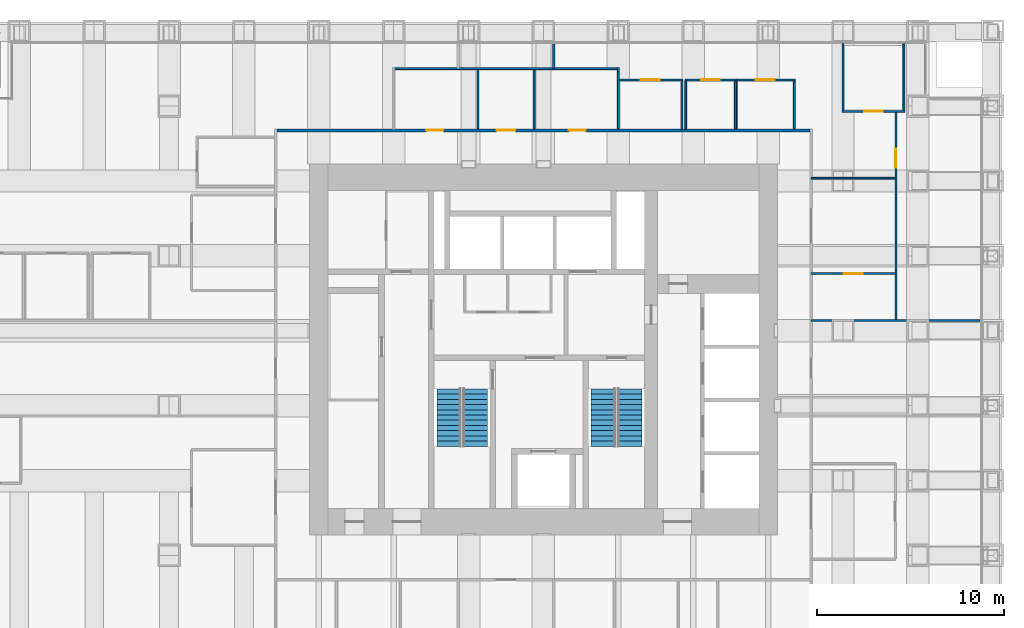
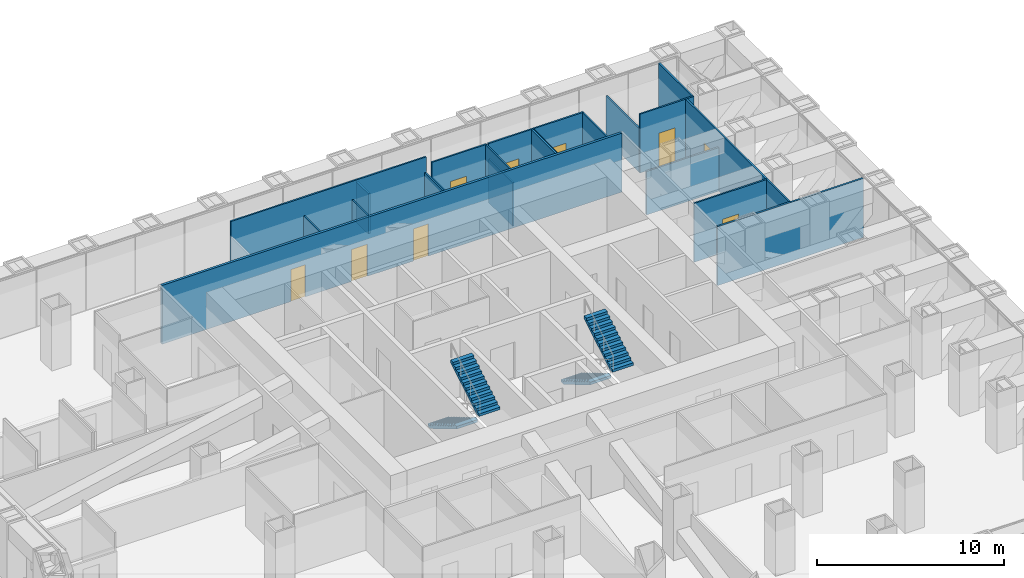
# One storey, part 16 of 18: 21 walls, 9 doors, 4 stair flights, 9 openings, 2 elements without a shape of their own.
"""IFC4 building model written with IfcOpenShell, lengths in metres."""

from ifc_helpers import new_model, si_unit, direction, frame, frame_2d, origin, place, context, subcontext, project, spatial, polyline, rectangle, outline, extrude, material, layer, layer_set, type_object, element, fill, aggregate, save


model = new_model("IFC4")

# Units and contexts
model_context = context("Model", 3, precision=1e-05, world=origin(), true_north=direction((0.0, 1.0)))
body_context = subcontext(model_context, "Body", "Model", "MODEL_VIEW")
ifc_project = project(units=[si_unit("LENGTHUNIT", "METRE"), si_unit("AREAUNIT", "SQUARE_METRE"), si_unit("VOLUMEUNIT", "CUBIC_METRE"), si_unit("PLANEANGLEUNIT", "RADIAN"), si_unit("MASSUNIT", "GRAM", prefix="KILO")], contexts=[model_context])

# Site, building, storey
site_placement = place(None, origin())
site = spatial("IfcSite", under=ifc_project, at=site_placement, CompositionType="ELEMENT")
building_placement = place(site_placement, origin())
building = spatial("IfcBuilding", under=site, at=building_placement, Name="Rimbunsela Tower", CompositionType="ELEMENT")
storey_placement = place(building_placement, frame((0.0, 0.0, 11.0)))
storey = spatial("IfcBuildingStorey", under=building, at=storey_placement, Name="L02", CompositionType="ELEMENT", Elevation=11.0)

# Wall, opening, door
ifc_material_1 = material(Name="Gypsum board on steel studs", Category="steel")
ifc_layer_1 = layer(ifc_material_1, 0.10009765625)
ifc_layer_set_1 = layer_set([ifc_layer_1], Name="Office partition 100")
wall_type_1 = type_object("IfcWallType", Name="Office partition 100", PredefinedType="PARTITIONING", material=ifc_layer_set_1)
wall_1_placement = place(storey_placement, frame((45.949951171875, 39.719970703125, 0.0), z_axis=(0.0, 0.0, 1.0), x_axis=(1.0, 0.0, 0.0)))
wall_1 = element("IfcWall", 1, at=wall_1_placement, inside=storey, type_object=wall_type_1, Name="Office partition", PredefinedType="PARTITIONING", context=body_context, shape_type="SweptSolid", body=[
    extrude(rectangle(XDim=3.35009765625, YDim=0.10009765625, at=frame_2d((1.675048828125, 0.0))), origin(), (0.0, 0.0, 1.0), 3.85009765625),
])
opening_1_placement = place(wall_1_placement, frame((1.175048828125, 0.0, 0.0)))
opening_1 = element("IfcOpeningElement", 2, at=opening_1_placement, cuts=wall_1, Name="Opening D16", PredefinedType="OPENING", context=body_context, shape_type="SweptSolid", body=[
    extrude(rectangle(XDim=1.0, YDim=2.199951171875, at=frame_2d((0.5, 1.10009765625))), frame((0.0, 0.06005859375, 0.0), z_axis=(0.0, -1.0, 0.0), x_axis=(1.0, 0.0, 0.0)), (0.0, 0.0, 1.0), 0.1201171875),
])
ifc_material_2 = material(Name="Timber door", Category="wood")
door_type_1 = type_object("IfcDoorType", Name="Office door 1000", OperationType="SINGLE_SWING_LEFT", PredefinedType="DOOR", material=ifc_material_2)
door_1_placement = place(opening_1_placement, origin())
door_1 = element("IfcDoor", 3, at=door_1_placement, inside=storey, type_object=door_type_1, Name="Office door", OperationType="SINGLE_SWING_LEFT", OverallHeight=2.199951171875, OverallWidth=1.0, PredefinedType="DOOR", context=body_context, shape_type="SweptSolid", body=[
    extrude(rectangle(XDim=1.0, YDim=2.199951171875, at=frame_2d((0.5, 1.10009765625))), frame((0.0, 0.02490234375, 0.0), z_axis=(0.0, -1.0, 0.0), x_axis=(1.0, 0.0, 0.0)), (0.0, 0.0, 1.0), 0.050048828125),
])
fill(opening_1, door_1)

wall_2_placement = place(storey_placement, frame((34.050048828125, 41.39990234375, 0.0), z_axis=(0.0, 0.0, 1.0), x_axis=(1.0, 0.0, 0.0)))
wall_2 = element("IfcWall", 4, at=wall_2_placement, inside=storey, type_object=wall_type_1, Name="Office partition", PredefinedType="PARTITIONING", context=body_context, shape_type="SweptSolid", body=[
    extrude(rectangle(XDim=3.39990234375, YDim=0.10009765625, at=frame_2d((1.699951171875, 0.0))), origin(), (0.0, 0.0, 1.0), 3.85009765625),
])
opening_2_placement = place(wall_2_placement, frame((1.14990234375, 0.0, 0.0)))
opening_2 = element("IfcOpeningElement", 5, at=opening_2_placement, cuts=wall_2, Name="Opening D16", PredefinedType="OPENING", context=body_context, shape_type="SweptSolid", body=[
    extrude(rectangle(XDim=1.0, YDim=2.199951171875, at=frame_2d((0.5, 1.10009765625))), frame((0.0, 0.06005859375, 0.0), z_axis=(0.0, -1.0, 0.0), x_axis=(1.0, 0.0, 0.0)), (0.0, 0.0, 1.0), 0.1201171875),
])
door_2_placement = place(opening_2_placement, origin())
door_2 = element("IfcDoor", 6, at=door_2_placement, inside=storey, type_object=door_type_1, Name="Office door", OperationType="SINGLE_SWING_LEFT", OverallHeight=2.199951171875, OverallWidth=1.0, PredefinedType="DOOR", context=body_context, shape_type="SweptSolid", body=[
    extrude(rectangle(XDim=1.0, YDim=2.199951171875, at=frame_2d((0.5, 1.10009765625))), frame((0.0, 0.02490234375, 0.0), z_axis=(0.0, -1.0, 0.0), x_axis=(1.0, 0.0, 0.0)), (0.0, 0.0, 1.0), 0.050048828125),
])
fill(opening_2, door_2)

wall_3_placement = place(storey_placement, frame((37.550048828125, 41.39990234375, 0.0), z_axis=(0.0, 0.0, 1.0), x_axis=(1.0, 0.0, 0.0)))
wall_3 = element("IfcWall", 7, at=wall_3_placement, inside=storey, type_object=wall_type_1, Name="Office partition", PredefinedType="PARTITIONING", context=body_context, shape_type="SweptSolid", body=[
    extrude(rectangle(XDim=2.75, YDim=0.10009765625, at=frame_2d((1.375, 0.0))), origin(), (0.0, 0.0, 1.0), 3.85009765625),
])
opening_3_placement = place(wall_3_placement, frame((0.875, 0.0, 0.0)))
opening_3 = element("IfcOpeningElement", 8, at=opening_3_placement, cuts=wall_3, Name="Opening D16", PredefinedType="OPENING", context=body_context, shape_type="SweptSolid", body=[
    extrude(rectangle(XDim=1.0, YDim=2.199951171875, at=frame_2d((0.5, 1.10009765625))), frame((0.0, 0.06005859375, 0.0), z_axis=(0.0, -1.0, 0.0), x_axis=(1.0, 0.0, 0.0)), (0.0, 0.0, 1.0), 0.1201171875),
])
door_3_placement = place(opening_3_placement, origin())
door_3 = element("IfcDoor", 9, at=door_3_placement, inside=storey, type_object=door_type_1, Name="Office door", OperationType="SINGLE_SWING_LEFT", OverallHeight=2.199951171875, OverallWidth=1.0, PredefinedType="DOOR", context=body_context, shape_type="SweptSolid", body=[
    extrude(rectangle(XDim=1.0, YDim=2.199951171875, at=frame_2d((0.5, 1.10009765625))), frame((0.0, 0.02490234375, 0.0), z_axis=(0.0, -1.0, 0.0), x_axis=(1.0, 0.0, 0.0)), (0.0, 0.0, 1.0), 0.050048828125),
])
fill(opening_3, door_3)

wall_4_placement = place(storey_placement, frame((40.25, 41.39990234375, 0.0), z_axis=(0.0, 0.0, 1.0), x_axis=(1.0, 0.0, 0.0)))
wall_4 = element("IfcWall", 10, at=wall_4_placement, inside=storey, type_object=wall_type_1, Name="Office partition", PredefinedType="PARTITIONING", context=body_context, shape_type="SweptSolid", body=[
    extrude(rectangle(XDim=3.199951171875, YDim=0.10009765625, at=frame_2d((1.60009765625, 0.0))), origin(), (0.0, 0.0, 1.0), 3.85009765625),
])
opening_4_placement = place(wall_4_placement, frame((1.10009765625, 0.0, 0.0)))
opening_4 = element("IfcOpeningElement", 11, at=opening_4_placement, cuts=wall_4, Name="Opening D16", PredefinedType="OPENING", context=body_context, shape_type="SweptSolid", body=[
    extrude(rectangle(XDim=1.0, YDim=2.199951171875, at=frame_2d((0.5, 1.10009765625))), frame((0.0, 0.06005859375, 0.0), z_axis=(0.0, -1.0, 0.0), x_axis=(1.0, 0.0, 0.0)), (0.0, 0.0, 1.0), 0.1201171875),
])
door_4_placement = place(opening_4_placement, origin())
door_4 = element("IfcDoor", 12, at=door_4_placement, inside=storey, type_object=door_type_1, Name="Office door", OperationType="SINGLE_SWING_LEFT", OverallHeight=2.199951171875, OverallWidth=1.0, PredefinedType="DOOR", context=body_context, shape_type="SweptSolid", body=[
    extrude(rectangle(XDim=1.0, YDim=2.199951171875, at=frame_2d((0.5, 1.10009765625))), frame((0.0, 0.02490234375, 0.0), z_axis=(0.0, -1.0, 0.0), x_axis=(1.0, 0.0, 0.0)), (0.0, 0.0, 1.0), 0.050048828125),
])
fill(opening_4, door_4)

# Walls
wall_5_placement = place(storey_placement, frame((37.39990234375, 38.77490234375, 0.0), z_axis=(0.0, 0.0, 1.0), x_axis=(0.0, 1.0, 0.0)))
element("IfcWall", 13, at=wall_5_placement, inside=storey, type_object=wall_type_1, Name="Office partition", PredefinedType="PARTITIONING", context=body_context, shape_type="SweptSolid", body=[
    extrude(rectangle(XDim=2.5751953125, YDim=0.10009765625, at=frame_2d((1.28759765625, 0.0))), origin(), (0.0, 0.0, 1.0), 3.85009765625),
])
wall_6_placement = place(storey_placement, frame((37.60009765625, 38.77490234375, 0.0), z_axis=(0.0, 0.0, 1.0), x_axis=(0.0, 1.0, 0.0)))
element("IfcWall", 14, at=wall_6_placement, inside=storey, type_object=wall_type_1, Name="Office partition", PredefinedType="PARTITIONING", context=body_context, shape_type="SweptSolid", body=[
    extrude(rectangle(XDim=2.5751953125, YDim=0.10009765625, at=frame_2d((1.28759765625, 0.0))), origin(), (0.0, 0.0, 1.0), 2.85009765625),
])
for number, where, z_axis, x_axis, name in (
    (15, (40.25, 38.77490234375, 0.0), (0.0, 0.0, 1.0), (0.0, 1.0, 0.0), "Office partition"),
    (16, (40.300048828125, 38.77490234375, 0.0), (0.0, 0.0, 1.0), (0.0, 1.0, 0.0), "Office partition"),
    (17, (43.39990234375, 38.77490234375, 0.0), (0.0, 0.0, 1.0), (0.0, 1.0, 0.0), "Office partition"),
):
    element("IfcWall", number, at=place(storey_placement, frame(where, z_axis=z_axis, x_axis=x_axis)), inside=storey, type_object=wall_type_1, Name=name, PredefinedType="PARTITIONING", context=body_context, shape_type="SweptSolid", body=[
        extrude(rectangle(XDim=2.5751953125, YDim=0.10009765625, at=frame_2d((1.28759765625, 0.0))), origin(), (0.0, 0.0, 1.0), 3.85009765625),
    ])
wall_7_placement = place(storey_placement, frame((46.0, 39.77001953125, 0.0), z_axis=(0.0, 0.0, 1.0), x_axis=(0.0, 1.0, 0.0)))
element("IfcWall", 18, at=wall_7_placement, inside=storey, type_object=wall_type_1, Name="Office partition", PredefinedType="PARTITIONING", context=body_context, shape_type="SweptSolid", body=[
    extrude(rectangle(XDim=3.550048828125, YDim=0.10009765625, at=frame_2d((1.77490234375, 0.0))), origin(), (0.0, 0.0, 1.0), 2.85009765625),
])
wall_8_placement = place(storey_placement, frame((49.25, 39.77001953125, 0.0), z_axis=(0.0, 0.0, 1.0), x_axis=(0.0, 1.0, 0.0)))
element("IfcWall", 19, at=wall_8_placement, inside=storey, type_object=wall_type_1, Name="Office partition", PredefinedType="PARTITIONING", context=body_context, shape_type="SweptSolid", body=[
    extrude(rectangle(XDim=3.550048828125, YDim=0.10009765625, at=frame_2d((1.77490234375, 0.0))), origin(), (0.0, 0.0, 1.0), 3.85009765625),
])

# Wall, opening, door
wall_9_placement = place(storey_placement, frame((48.824951171875, 39.669921875, 0.0), z_axis=(0.0, 0.0, 1.0), x_axis=(0.0, -1.0, 0.0)))
wall_9 = element("IfcWall", 20, at=wall_9_placement, inside=storey, type_object=wall_type_1, Name="Office partition", PredefinedType="PARTITIONING", context=body_context, shape_type="SweptSolid", body=[
    extrude(rectangle(XDim=11.118896484375, YDim=0.10009765625, at=frame_2d((5.5595703125, 0.0))), origin(), (0.0, 0.0, 1.0), 3.85009765625),
])
opening_5_placement = place(wall_9_placement, frame((1.95947265625, 0.0, 0.0)))
opening_5 = element("IfcOpeningElement", 21, at=opening_5_placement, cuts=wall_9, Name="Opening D17", PredefinedType="OPENING", context=body_context, shape_type="SweptSolid", body=[
    extrude(rectangle(XDim=1.0, YDim=2.199951171875, at=frame_2d((0.5, 1.10009765625))), frame((0.0, 0.06005859375, 0.0), z_axis=(0.0, -1.0, 0.0), x_axis=(1.0, 0.0, 0.0)), (0.0, 0.0, 1.0), 0.1201171875),
])
ifc_material_3 = material(Name="Glazed aluminium door", Category="aluminium")
door_type_2 = type_object("IfcDoorType", Name="Meeting room door 1000 glazed", OperationType="SINGLE_SWING_RIGHT", PredefinedType="DOOR", material=ifc_material_3)
door_5_placement = place(opening_5_placement, origin())
door_5 = element("IfcDoor", 22, at=door_5_placement, inside=storey, type_object=door_type_2, Name="Open office screen door", OperationType="SINGLE_SWING_RIGHT", OverallHeight=2.199951171875, OverallWidth=1.0, PredefinedType="DOOR", context=body_context, shape_type="SweptSolid", body=[
    extrude(rectangle(XDim=1.0, YDim=2.199951171875, at=frame_2d((0.5, 1.10009765625))), frame((0.0, 0.02490234375, 0.0), z_axis=(0.0, -1.0, 0.0), x_axis=(1.0, 0.0, 0.0)), (0.0, 0.0, 1.0), 0.050048828125),
])
fill(opening_5, door_5)

wall_10_placement = place(storey_placement, frame((44.300048828125, 31.050048828125, 0.0), z_axis=(0.0, 0.0, 1.0), x_axis=(1.0, 0.0, 0.0)))
wall_10 = element("IfcWall", 23, at=wall_10_placement, inside=storey, type_object=wall_type_1, Name="Office partition", PredefinedType="PARTITIONING", context=body_context, shape_type="SweptSolid", body=[
    extrude(rectangle(XDim=4.5, YDim=0.10009765625, at=frame_2d((2.25, 0.0))), origin(), (0.0, 0.0, 1.0), 3.85009765625),
])
opening_6_placement = place(wall_10_placement, frame((1.75, 0.0, 0.0)))
opening_6 = element("IfcOpeningElement", 24, at=opening_6_placement, cuts=wall_10, Name="Opening D17", PredefinedType="OPENING", context=body_context, shape_type="SweptSolid", body=[
    extrude(rectangle(XDim=1.0, YDim=2.199951171875, at=frame_2d((0.5, 1.10009765625))), frame((0.0, 0.06005859375, 0.0), z_axis=(0.0, -1.0, 0.0), x_axis=(1.0, 0.0, 0.0)), (0.0, 0.0, 1.0), 0.1201171875),
])
door_6_placement = place(opening_6_placement, origin())
door_6 = element("IfcDoor", 25, at=door_6_placement, inside=storey, type_object=door_type_2, Name="Reception door", OperationType="SINGLE_SWING_RIGHT", OverallHeight=2.199951171875, OverallWidth=1.0, PredefinedType="DOOR", context=body_context, shape_type="SweptSolid", body=[
    extrude(rectangle(XDim=1.0, YDim=2.199951171875, at=frame_2d((0.5, 1.10009765625))), frame((0.0, 0.02490234375, 0.0), z_axis=(0.0, -1.0, 0.0), x_axis=(1.0, 0.0, 0.0)), (0.0, 0.0, 1.0), 0.050048828125),
])
fill(opening_6, door_6)

# Wall
wall_11_placement = place(storey_placement, frame((48.800048828125, 36.14990234375, 0.0), z_axis=(0.0, 0.0, 1.0), x_axis=(-1.0, 0.0, 0.0)))
element("IfcWall", 26, at=wall_11_placement, inside=storey, type_object=wall_type_1, Name="Office partition", PredefinedType="PARTITIONING", context=body_context, shape_type="SweptSolid", body=[
    extrude(rectangle(XDim=4.5, YDim=0.10009765625, at=frame_2d((2.25, 0.0))), origin(), (0.0, 0.0, 1.0), 2.85009765625),
])

# Wall, openings, doors
ifc_material_4 = material(Name="Fire-rated gypsum board on steel studs, EI 60", Category="steel")
ifc_layer_2 = layer(ifc_material_4, 0.14990234375)
ifc_layer_set_2 = layer_set([ifc_layer_2], Name="Rated corridor wall 150")
wall_type_2 = type_object("IfcWallType", Name="Rated corridor wall 150", PredefinedType="PARTITIONING", material=ifc_layer_set_2)
wall_12_placement = place(storey_placement, frame((15.77490234375, 38.699951171875, 0.0), z_axis=(0.0, 0.0, 1.0), x_axis=(1.0, 0.0, 0.0)))
wall_12 = element("IfcWall", 27, at=wall_12_placement, inside=storey, type_object=wall_type_2, Name="Corridor wall north", PredefinedType="PARTITIONING", context=body_context, shape_type="SweptSolid", body=[
    extrude(rectangle(XDim=28.4501953125, YDim=0.14990234375, at=frame_2d((14.22509765625, 0.0))), origin(), (0.0, 0.0, 1.0), 3.85009765625),
])
opening_7_placement = place(wall_12_placement, frame((7.97509765625, 0.0, 0.0)))
opening_7 = element("IfcOpeningElement", 28, at=opening_7_placement, cuts=wall_12, Name="Opening D04", PredefinedType="OPENING", context=body_context, shape_type="SweptSolid", body=[
    extrude(rectangle(XDim=0.89990234375, YDim=2.10009765625, at=frame_2d((0.449951171875, 1.050048828125))), frame((0.0, 0.0849609375, 0.0), z_axis=(0.0, -1.0, 0.0), x_axis=(1.0, 0.0, 0.0)), (0.0, 0.0, 1.0), 0.169921875),
])
opening_8_placement = place(wall_12_placement, frame((11.72509765625, 0.0, 0.0)))
opening_8 = element("IfcOpeningElement", 29, at=opening_8_placement, cuts=wall_12, Name="Opening D05", PredefinedType="OPENING", context=body_context, shape_type="SweptSolid", body=[
    extrude(rectangle(XDim=1.0, YDim=2.10009765625, at=frame_2d((0.5, 1.050048828125))), frame((0.0, 0.0849609375, 0.0), z_axis=(0.0, -1.0, 0.0), x_axis=(1.0, 0.0, 0.0)), (0.0, 0.0, 1.0), 0.169921875),
])
opening_9_placement = place(wall_12_placement, frame((15.574951171875, 0.0, 0.0)))
opening_9 = element("IfcOpeningElement", 30, at=opening_9_placement, cuts=wall_12, Name="Opening D04", PredefinedType="OPENING", context=body_context, shape_type="SweptSolid", body=[
    extrude(rectangle(XDim=0.89990234375, YDim=2.10009765625, at=frame_2d((0.449951171875, 1.050048828125))), frame((0.0, 0.0849609375, 0.0), z_axis=(0.0, -1.0, 0.0), x_axis=(1.0, 0.0, 0.0)), (0.0, 0.0, 1.0), 0.169921875),
])
ifc_material_5 = material(Name="Timber door", Category="wood")
door_type_3 = type_object("IfcDoorType", Name="Accessible WC door 1000", OperationType="SLIDING_TO_LEFT", PredefinedType="DOOR", material=ifc_material_5)
door_7_placement = place(opening_8_placement, origin())
door_7 = element("IfcDoor", 31, at=door_7_placement, inside=storey, type_object=door_type_3, Name="Accessible WC door", OperationType="SLIDING_TO_LEFT", OverallHeight=2.10009765625, OverallWidth=1.0, PredefinedType="DOOR", context=body_context, shape_type="SweptSolid", body=[
    extrude(rectangle(XDim=1.0, YDim=2.10009765625, at=frame_2d((0.5, 1.050048828125))), frame((0.0, 0.02490234375, 0.0), z_axis=(0.0, -1.0, 0.0), x_axis=(1.0, 0.0, 0.0)), (0.0, 0.0, 1.0), 0.050048828125),
])
fill(opening_8, door_7)
ifc_material_6 = material(Name="Timber door", Category="wood")
door_type_4 = type_object("IfcDoorType", Name="Toilet door 900", OperationType="SINGLE_SWING_LEFT", PredefinedType="DOOR", material=ifc_material_6)
door_8_placement = place(opening_7_placement, origin())
door_8 = element("IfcDoor", 32, at=door_8_placement, inside=storey, type_object=door_type_4, Name="Female WC door", OperationType="SINGLE_SWING_LEFT", OverallHeight=2.10009765625, OverallWidth=0.89990234375, PredefinedType="DOOR", context=body_context, shape_type="SweptSolid", body=[
    extrude(rectangle(XDim=0.89990234375, YDim=2.10009765625, at=frame_2d((0.449951171875, 1.050048828125))), frame((0.0, 0.02490234375, 0.0), z_axis=(0.0, -1.0, 0.0), x_axis=(1.0, 0.0, 0.0)), (0.0, 0.0, 1.0), 0.050048828125),
])
fill(opening_7, door_8)
door_9_placement = place(opening_9_placement, origin())
door_9 = element("IfcDoor", 33, at=door_9_placement, inside=storey, type_object=door_type_4, Name="Male WC door", OperationType="SINGLE_SWING_LEFT", OverallHeight=2.10009765625, OverallWidth=0.89990234375, PredefinedType="DOOR", context=body_context, shape_type="SweptSolid", body=[
    extrude(rectangle(XDim=0.89990234375, YDim=2.10009765625, at=frame_2d((0.449951171875, 1.050048828125))), frame((0.0, 0.02490234375, 0.0), z_axis=(0.0, -1.0, 0.0), x_axis=(1.0, 0.0, 0.0)), (0.0, 0.0, 1.0), 0.050048828125),
])
fill(opening_9, door_9)

# Walls
ifc_material_7 = material(Name="Gypsum board on steel studs", Category="steel")
ifc_layer_3 = layer(ifc_material_7, 0.1201171875)
ifc_layer_set_3 = layer_set([ifc_layer_3], Name="Tenancy partition 120")
wall_type_3 = type_object("IfcWallType", Name="Tenancy partition 120", PredefinedType="PARTITIONING", material=ifc_layer_set_3)
wall_13_placement = place(storey_placement, frame((44.300048828125, 28.550048828125, 0.0), z_axis=(0.0, 0.0, 1.0), x_axis=(1.0, 0.0, 0.0)))
element("IfcWall", 34, at=wall_13_placement, inside=storey, type_object=wall_type_3, Name="Tenancy partition", PredefinedType="PARTITIONING", context=body_context, shape_type="SweptSolid", body=[
    extrude(rectangle(XDim=9.02001953125, YDim=0.1201171875, at=frame_2d((4.510009765625, 0.0))), origin(), (0.0, 0.0, 1.0), 3.85009765625),
])
wall_14_placement = place(storey_placement, frame((30.550048828125, 42.0, 0.0), z_axis=(0.0, 0.0, 1.0), x_axis=(0.0, 1.0, 0.0)))
element("IfcWall", 35, at=wall_14_placement, inside=storey, type_object=wall_type_3, Name="Tenancy partition", PredefinedType="PARTITIONING", context=body_context, shape_type="SweptSolid", body=[
    extrude(rectangle(XDim=1.320068359375, YDim=0.1201171875, at=frame_2d((0.66015625, 0.0))), origin(), (0.0, 0.0, 1.0), 2.64990234375),
])
ifc_material_8 = material(Name="Concrete blockwork", Category="masonry")
ifc_layer_4 = layer(ifc_material_8, 0.10009765625)
ifc_layer_set_4 = layer_set([ifc_layer_4], Name="Toilet partition 100")
wall_type_4 = type_object("IfcWallType", Name="Toilet partition 100", PredefinedType="PARTITIONING", material=ifc_layer_set_4)
wall_15_placement = place(storey_placement, frame((34.0, 38.77490234375, 0.0), z_axis=(0.0, 0.0, 1.0), x_axis=(0.0, 1.0, 0.0)))
element("IfcWall", 36, at=wall_15_placement, inside=storey, type_object=wall_type_4, Name="Toilet block wall east", PredefinedType="PARTITIONING", context=body_context, shape_type="SweptSolid", body=[
    extrude(rectangle(XDim=3.275146484375, YDim=0.10009765625, at=frame_2d((1.6376953125, 0.0))), origin(), (0.0, 0.0, 1.0), 2.85009765625),
])
wall_16_placement = place(storey_placement, frame((21.949951171875, 42.0, 0.0), z_axis=(0.0, 0.0, 1.0), x_axis=(1.0, 0.0, 0.0)))
element("IfcWall", 37, at=wall_16_placement, inside=storey, type_object=wall_type_4, Name="Toilet block wall north", PredefinedType="PARTITIONING", context=body_context, shape_type="SweptSolid", body=[
    extrude(rectangle(XDim=12.10009765625, YDim=0.10009765625, at=frame_2d((6.050048828125, 0.0))), origin(), (0.0, 0.0, 1.0), 3.85009765625),
])
for number, where, z_axis, x_axis, name in (
    (38, (26.5, 38.77490234375, 0.0), (0.0, 0.0, 1.0), (0.0, 1.0, 0.0), "Toilet partition"),
    (39, (29.5, 38.77490234375, 0.0), (0.0, 0.0, 1.0), (0.0, 1.0, 0.0), "Toilet partition"),
):
    element("IfcWall", number, at=place(storey_placement, frame(where, z_axis=z_axis, x_axis=x_axis)), inside=storey, type_object=wall_type_4, Name=name, PredefinedType="PARTITIONING", context=body_context, shape_type="SweptSolid", body=[
        extrude(rectangle(XDim=3.175048828125, YDim=0.10009765625, at=frame_2d((1.58740234375, 0.0))), origin(), (0.0, 0.0, 1.0), 2.64990234375),
    ])

# Stair, stair flights
ifc_material_9 = material(Name="Concrete fc' 35 MPa", Category="concrete")
stair_type = type_object("IfcStairType", Name="Exit stair 24 risers", PredefinedType="HALF_TURN_STAIR", material=ifc_material_9)
stair_1_placement = place(storey_placement, origin())
stair_1 = element("IfcStair", 40, at=stair_1_placement, inside=storey, type_object=stair_type, Name="Exit stair A L02", PredefinedType="HALF_TURN_STAIR")
ifc_material_10 = material(Name="Concrete fc' 35 MPa", Category="concrete")
stair_flight_type = type_object("IfcStairFlightType", Name="Stair flight 12 risers 167", PredefinedType="STRAIGHT", material=ifc_material_10)
stair_flight_1_placement = place(storey_placement, frame((24.949951171875, 24.89990234375, 0.0), z_axis=(0.0, 0.0, 1.0), x_axis=(0.0, -1.0, 0.0)))
stair_flight_1 = element("IfcStairFlight", 41, at=stair_flight_1_placement, type_object=stair_flight_type, Name="ST-A flight 1", NumberOfRisers=12, NumberOfTreads=11, PredefinedType="STRAIGHT", RiserHeight=0.166666667, TreadLength=0.28, context=body_context, shape_type="SweptSolid", body=[
    extrude(outline(polyline([(0.0, 0.0), (0.0, 0.166748046875), (0.280029296875, 0.166748046875), (0.280029296875, 0.333251953125), (0.56005859375, 0.333251953125), (0.56005859375, 0.5), (0.840087890625, 0.5), (0.840087890625, 0.666748046875), (1.1201171875, 0.666748046875), (1.1201171875, 0.833251953125), (1.39990234375, 0.833251953125), (1.39990234375, 1.0), (1.679931640625, 1.0), (1.679931640625, 1.166748046875), (1.9599609375, 1.166748046875), (1.9599609375, 1.333251953125), (2.239990234375, 1.333251953125), (2.239990234375, 1.5), (2.52001953125, 1.5), (2.52001953125, 1.666748046875), (2.800048828125, 1.666748046875), (2.800048828125, 1.833251953125), (3.080078125, 1.833251953125), (3.080078125, 2.0), (3.080078125, 1.658935546875), (0.29296875, 0.0), (0.0, 0.0)])), frame((0.0, 0.64990234375, 0.0), z_axis=(0.0, -1.0, 0.0), x_axis=(1.0, 0.0, 0.0)), (0.0, 0.0, 1.0), 1.300048828125),
])
stair_flight_2_placement = place(storey_placement, frame((26.35009765625, 21.820068359375, 2.0), z_axis=(0.0, 0.0, 1.0), x_axis=(0.0, 1.0, 0.0)))
stair_flight_2 = element("IfcStairFlight", 42, at=stair_flight_2_placement, type_object=stair_flight_type, Name="ST-A flight 2", NumberOfRisers=12, NumberOfTreads=11, PredefinedType="STRAIGHT", RiserHeight=0.166666667, TreadLength=0.28, context=body_context, shape_type="SweptSolid", body=[
    extrude(outline(polyline([(0.0, 0.0), (0.0, 0.166748046875), (0.280029296875, 0.166748046875), (0.280029296875, 0.333251953125), (0.56005859375, 0.333251953125), (0.56005859375, 0.5), (0.840087890625, 0.5), (0.840087890625, 0.666748046875), (1.1201171875, 0.666748046875), (1.1201171875, 0.833251953125), (1.39990234375, 0.833251953125), (1.39990234375, 1.0), (1.679931640625, 1.0), (1.679931640625, 1.166748046875), (1.9599609375, 1.166748046875), (1.9599609375, 1.333251953125), (2.239990234375, 1.333251953125), (2.239990234375, 1.5), (2.52001953125, 1.5), (2.52001953125, 1.666748046875), (2.800048828125, 1.666748046875), (2.800048828125, 1.833251953125), (3.080078125, 1.833251953125), (3.080078125, 2.0), (3.080078125, 1.658935546875), (0.29296875, 0.0), (0.0, 0.0)])), frame((0.0, 0.64990234375, 0.0), z_axis=(0.0, -1.0, 0.0), x_axis=(1.0, 0.0, 0.0)), (0.0, 0.0, 1.0), 1.300048828125),
])
aggregate(stair_1, [stair_flight_1, stair_flight_2])

stair_2_placement = place(storey_placement, origin())
stair_2 = element("IfcStair", 43, at=stair_2_placement, inside=storey, type_object=stair_type, Name="Exit stair B L02", PredefinedType="HALF_TURN_STAIR")
stair_flight_3_placement = place(storey_placement, frame((33.199951171875, 24.89990234375, 0.0), z_axis=(0.0, 0.0, 1.0), x_axis=(0.0, -1.0, 0.0)))
stair_flight_3 = element("IfcStairFlight", 44, at=stair_flight_3_placement, type_object=stair_flight_type, Name="ST-B flight 1", NumberOfRisers=12, NumberOfTreads=11, PredefinedType="STRAIGHT", RiserHeight=0.166666667, TreadLength=0.28, context=body_context, shape_type="SweptSolid", body=[
    extrude(outline(polyline([(0.0, 0.0), (0.0, 0.166748046875), (0.280029296875, 0.166748046875), (0.280029296875, 0.333251953125), (0.56005859375, 0.333251953125), (0.56005859375, 0.5), (0.840087890625, 0.5), (0.840087890625, 0.666748046875), (1.1201171875, 0.666748046875), (1.1201171875, 0.833251953125), (1.39990234375, 0.833251953125), (1.39990234375, 1.0), (1.679931640625, 1.0), (1.679931640625, 1.166748046875), (1.9599609375, 1.166748046875), (1.9599609375, 1.333251953125), (2.239990234375, 1.333251953125), (2.239990234375, 1.5), (2.52001953125, 1.5), (2.52001953125, 1.666748046875), (2.800048828125, 1.666748046875), (2.800048828125, 1.833251953125), (3.080078125, 1.833251953125), (3.080078125, 2.0), (3.080078125, 1.658935546875), (0.29296875, 0.0), (0.0, 0.0)])), frame((0.0, 0.64990234375, 0.0), z_axis=(0.0, -1.0, 0.0), x_axis=(1.0, 0.0, 0.0)), (0.0, 0.0, 1.0), 1.300048828125),
])
stair_flight_4_placement = place(storey_placement, frame((34.60009765625, 21.820068359375, 2.0), z_axis=(0.0, 0.0, 1.0), x_axis=(0.0, 1.0, 0.0)))
stair_flight_4 = element("IfcStairFlight", 45, at=stair_flight_4_placement, type_object=stair_flight_type, Name="ST-B flight 2", NumberOfRisers=12, NumberOfTreads=11, PredefinedType="STRAIGHT", RiserHeight=0.166666667, TreadLength=0.28, context=body_context, shape_type="SweptSolid", body=[
    extrude(outline(polyline([(0.0, 0.0), (0.0, 0.166748046875), (0.280029296875, 0.166748046875), (0.280029296875, 0.333251953125), (0.56005859375, 0.333251953125), (0.56005859375, 0.5), (0.840087890625, 0.5), (0.840087890625, 0.666748046875), (1.1201171875, 0.666748046875), (1.1201171875, 0.833251953125), (1.39990234375, 0.833251953125), (1.39990234375, 1.0), (1.679931640625, 1.0), (1.679931640625, 1.166748046875), (1.9599609375, 1.166748046875), (1.9599609375, 1.333251953125), (2.239990234375, 1.333251953125), (2.239990234375, 1.5), (2.52001953125, 1.5), (2.52001953125, 1.666748046875), (2.800048828125, 1.666748046875), (2.800048828125, 1.833251953125), (3.080078125, 1.833251953125), (3.080078125, 2.0), (3.080078125, 1.658935546875), (0.29296875, 0.0), (0.0, 0.0)])), frame((0.0, 0.64990234375, 0.0), z_axis=(0.0, -1.0, 0.0), x_axis=(1.0, 0.0, 0.0)), (0.0, 0.0, 1.0), 1.300048828125),
])
aggregate(stair_2, [stair_flight_3, stair_flight_4])

save(model, "model.ifc")
